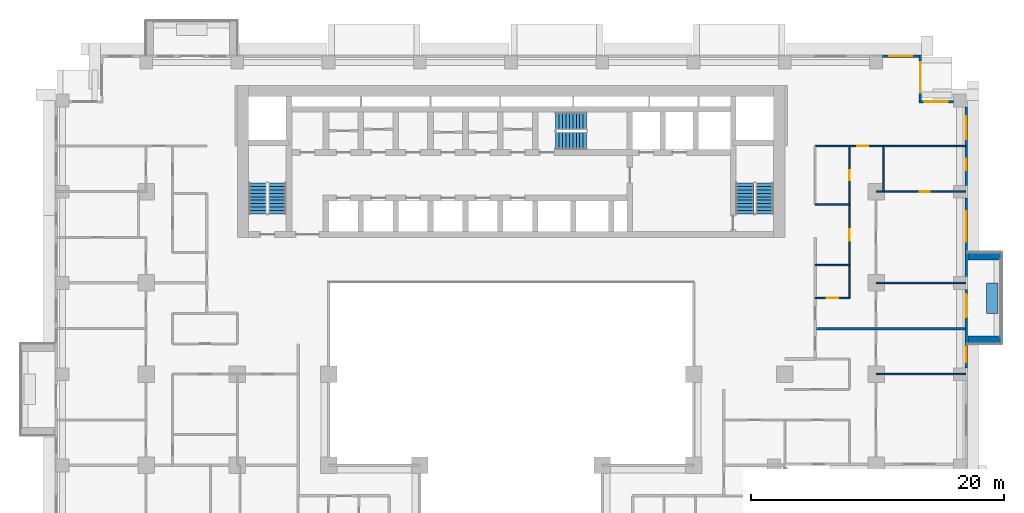
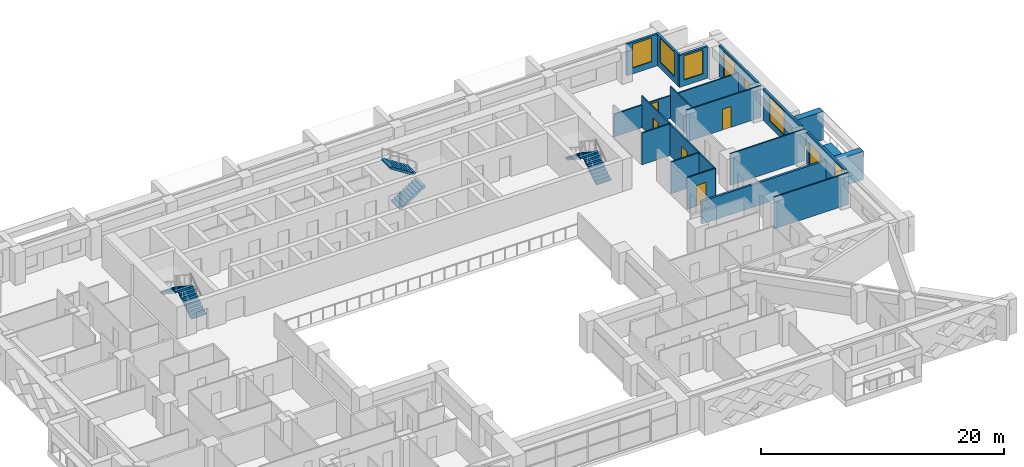
# One storey, part 12 of 16: 19 walls, 7 windows, 6 doors, 6 stair flights, 13 openings, 3 elements without a shape of their own.
"""IFC4 building model written with IfcOpenShell, lengths in metres."""

import ifcopenshell
import ifcopenshell.guid

model = None  # the IFC model being written
_history = None  # IfcOwnerHistory: only IFC2X3 demands one
_inside = {}  # id of a spatial element -> (the spatial element, [elements in it])
_under = {}  # id of a project, library or spatial element -> (it, [spatial elements below it])
_declared = {}  # id of a project -> (the project, [libraries it declares])
_typed = {}  # id of a type object -> (the type object, [elements of that type])
_made_of = {}  # id of a material, layer set ... -> (it, [elements and type objects made of it])


def new_model(schema):
    """Start an empty IFC model of exactly this schema.

    Asked for "IFC4X3", IfcOpenShell would pick the latest addendum, in which some entities
    have other attributes; the version numbers below select the first issue.
    IFC2X3 requires an IfcOwnerHistory on every rooted entity: one is made here for all.
    """
    global model, _history
    if schema == "IFC4X3":
        model = ifcopenshell.file(schema_version=(4, 3, 0, 0))
    else:
        model = ifcopenshell.file(schema=schema)
    _inside.clear()
    _under.clear()
    _declared.clear()
    _typed.clear()
    _made_of.clear()
    _history = None
    if model.schema == "IFC2X3":
        org = make("IfcOrganization", Name="unknown")
        user = make(
            "IfcPersonAndOrganization",
            ThePerson=make("IfcPerson", FamilyName="unknown"),
            TheOrganization=org,
        )
        app = make(
            "IfcApplication",
            ApplicationDeveloper=org,
            Version="unknown",
            ApplicationFullName="unknown",
            ApplicationIdentifier="unknown",
        )
        _history = make(
            "IfcOwnerHistory",
            OwningUser=user,
            OwningApplication=app,
            ChangeAction="ADDED",
            CreationDate=0,
        )
    return model


def make(cls, **values):
    """One entity of the class cls with the attributes given. An attribute that is None is left unset."""
    return model.create_entity(
        cls, **{name: value for name, value in values.items() if value is not None}
    )


def rooted(cls, **values):
    """An entity with a GlobalId (a new one), such as an element, a storey or a relation."""
    return make(cls, GlobalId=ifcopenshell.guid.new(), OwnerHistory=_history, **values)


def si_unit(unit_type, name, prefix=None):
    """IfcSIUnit, for example si_unit("LENGTHUNIT", "METRE", prefix="MILLI")."""
    return make("IfcSIUnit", UnitType=unit_type, Prefix=prefix, Name=name)


def assignment(units):
    """IfcUnitAssignment: the units of a project."""
    return None if units is None else make("IfcUnitAssignment", Units=units)


def point(xyz):
    """IfcCartesianPoint."""
    return None if xyz is None else make("IfcCartesianPoint", Coordinates=xyz)


def direction(xyz):
    """IfcDirection."""
    return None if xyz is None else make("IfcDirection", DirectionRatios=xyz)


def frame(location, z_axis=None, x_axis=None):
    """IfcAxis2Placement3D, a coordinate frame: its origin and axes. An axis left out is left unset."""
    return make(
        "IfcAxis2Placement3D",
        Location=point(location),
        Axis=direction(z_axis),
        RefDirection=direction(x_axis),
    )


def frame_2d(location, x_axis=None):
    """IfcAxis2Placement2D, a coordinate frame in the plane: its origin and x axis."""
    return make(
        "IfcAxis2Placement2D", Location=point(location), RefDirection=direction(x_axis)
    )


def origin():
    """The frame at (0, 0, 0) with its axes left unset."""
    return frame((0.0, 0.0, 0.0))


def place(relative_to, where):
    """IfcLocalPlacement: puts the frame where relative to a parent placement (None: the world)."""
    return make(
        "IfcLocalPlacement", PlacementRelTo=relative_to, RelativePlacement=where
    )


def context(
    kind, dimensions, precision=None, world=None, true_north=None, identifier=None
):
    """IfcGeometricRepresentationContext, for example the 3D "Model" context."""
    return make(
        "IfcGeometricRepresentationContext",
        ContextIdentifier=identifier,
        ContextType=kind,
        CoordinateSpaceDimension=dimensions,
        Precision=precision,
        WorldCoordinateSystem=world,
        TrueNorth=true_north,
    )


def subcontext(parent, identifier, kind, view, scale=None):
    """IfcGeometricRepresentationSubContext, for example "Body" below "Model"."""
    return make(
        "IfcGeometricRepresentationSubContext",
        ContextIdentifier=identifier,
        ContextType=kind,
        ParentContext=parent,
        TargetScale=scale,
        TargetView=view,
    )


def project(units=None, contexts=None):
    """IfcProject with its units and contexts."""
    return rooted(
        "IfcProject",
        Name="project",
        RepresentationContexts=contexts,
        UnitsInContext=assignment(units),
    )


def spatial(cls, under=None, at=None, **own):
    """A site, building, storey or space (cls), placed at a placement, below another one or the project."""
    s = rooted(cls, ObjectPlacement=at, **own)
    if under is not None:
        _under.setdefault(under.id(), (under, []))[1].append(s)
    return s


def polyline(points):
    """IfcPolyline through the points."""
    return make("IfcPolyline", Points=[point(p) for p in points])


def profile(cls, at=None, kind="AREA", **sizes):
    """A parametric profile (cls). Its sizes go by their IFC names, for example OverallWidth=200.0."""
    return make(cls, ProfileType=kind, Position=at, **sizes)


def rectangle(**sizes):
    """IfcRectangleProfileDef."""
    return profile("IfcRectangleProfileDef", **sizes)


def outline(outer, holes=None, kind="AREA"):
    """IfcArbitraryClosedProfileDef: a profile drawn as a closed curve; with holes, ...WithVoids."""
    if holes is None:
        return make("IfcArbitraryClosedProfileDef", ProfileType=kind, OuterCurve=outer)
    return make(
        "IfcArbitraryProfileDefWithVoids",
        ProfileType=kind,
        OuterCurve=outer,
        InnerCurves=holes,
    )


def extrude(swept, where, along, depth):
    """IfcExtrudedAreaSolid: the profile swept, set in the frame where, extruded along a direction by depth."""
    return make(
        "IfcExtrudedAreaSolid",
        SweptArea=swept,
        Position=where,
        ExtrudedDirection=direction(along),
        Depth=depth,
    )


def shape(context_of_items, identifier, shape_type, items):
    """IfcShapeRepresentation: the items that make up one representation, for example the "Body"."""
    return make(
        "IfcShapeRepresentation",
        ContextOfItems=context_of_items,
        RepresentationIdentifier=identifier,
        RepresentationType=shape_type,
        Items=items,
    )


def material(Name=None, Category=None):
    """IfcMaterial."""
    return make("IfcMaterial", Name=Name, Category=Category)


def layer(
    of_material, thickness, ventilated=None, Name=None, Category=None, Priority=None
):
    """IfcMaterialLayer: one layer of a wall or slab, of a material (None: an air gap)."""
    return make(
        "IfcMaterialLayer",
        Material=of_material,
        LayerThickness=thickness,
        IsVentilated=ventilated,
        Name=Name,
        Category=Category,
        Priority=Priority,
    )


def layer_set(layers, Name=None):
    """IfcMaterialLayerSet."""
    return make("IfcMaterialLayerSet", MaterialLayers=layers, LayerSetName=Name)


def made_of(thing, what):
    """Note that an element or type object is made of a material, layer set ...; save() writes the relation."""
    if what is not None:
        _made_of.setdefault(what.id(), (what, []))[1].append(thing)
    return thing


def type_object(cls, material=None, **own):
    """A type object (cls), such as IfcWallType, which elements share."""
    return made_of(rooted(cls, **own), material)


def element(
    cls,
    number,
    at=None,
    inside=None,
    cuts=None,
    type_object=None,
    material=None,
    context=None,
    identifier="Body",
    shape_type=None,
    held_by="IfcProductDefinitionShape",
    body=None,
    shapes=None,
    **own,
):
    """One element of the class cls, such as IfcWall. Its Tag is "e" and its number.

    at: its placement. inside: the storey or other place that contains it. cuts: it is an
    opening in that element (IfcRelVoidsElement). A single representation is given by context,
    identifier, shape_type and body (its items); several are given by shapes. held_by: the class
    of the entity that holds the representations. save() writes the other relations.
    """
    e = rooted(cls, Tag="e%d" % number, ObjectPlacement=at, **own)
    if body is not None:
        shapes = [shape(context, identifier, shape_type, body)]
    if shapes is not None:
        e.Representation = make(held_by, Representations=shapes)
    if inside is not None:
        _inside.setdefault(inside.id(), (inside, []))[1].append(e)
    if cuts is not None:
        rooted(
            "IfcRelVoidsElement", RelatingBuildingElement=cuts, RelatedOpeningElement=e
        )
    if type_object is not None:
        _typed.setdefault(type_object.id(), (type_object, []))[1].append(e)
    return made_of(e, material)


def fill(opening, filler):
    """IfcRelFillsElement: the door or window that sits in an opening."""
    return rooted(
        "IfcRelFillsElement",
        RelatingOpeningElement=opening,
        RelatedBuildingElement=filler,
    )


def aggregate(whole, parts):
    """IfcRelAggregates: a whole, such as a stair, and the parts it consists of."""
    return rooted("IfcRelAggregates", RelatingObject=whole, RelatedObjects=parts)


def save(model, path):
    """Write the relations noted so far, then the file.

    IfcRelAggregates (storeys below a building ...), IfcRelContainedInSpatialStructure (elements
    in a storey), IfcRelDefinesByType, IfcRelAssociatesMaterial and IfcRelDeclares: one each for
    every whole, place, type object, material and project.
    """
    for whole, parts in _under.values():
        aggregate(whole, parts)
    for where, things in _inside.values():
        rooted(
            "IfcRelContainedInSpatialStructure",
            RelatedElements=things,
            RelatingStructure=where,
        )
    for kind, things in _typed.values():
        rooted("IfcRelDefinesByType", RelatedObjects=things, RelatingType=kind)
    for what, things in _made_of.values():
        rooted("IfcRelAssociatesMaterial", RelatedObjects=things, RelatingMaterial=what)
    for by, libraries in _declared.values():
        rooted("IfcRelDeclares", RelatingContext=by, RelatedDefinitions=libraries)
    model.write(path)


model = new_model("IFC4")

# Units and contexts
model_context = context("Model", 3, precision=1e-05, world=origin(), true_north=direction((0.0, 1.0)))
body_context = subcontext(model_context, "Body", "Model", "MODEL_VIEW")
ifc_project = project(units=[si_unit("LENGTHUNIT", "METRE"), si_unit("AREAUNIT", "SQUARE_METRE"), si_unit("VOLUMEUNIT", "CUBIC_METRE"), si_unit("PLANEANGLEUNIT", "RADIAN"), si_unit("MASSUNIT", "GRAM", prefix="KILO")], contexts=[model_context])

# Site, building, storey
site_placement = place(None, origin())
site = spatial("IfcSite", under=ifc_project, at=site_placement, CompositionType="ELEMENT")
building_placement = place(site_placement, origin())
building = spatial("IfcBuilding", under=site, at=building_placement, Name="Saffron Iwan Residences", CompositionType="ELEMENT")
storey_placement = place(building_placement, frame((0.0, 0.0, 83.0)))
storey = spatial("IfcBuildingStorey", under=building, at=storey_placement, Name="L21", CompositionType="ELEMENT", Elevation=83.0)

# Walls
ifc_material_1 = material(Name="Concrete C50/60 white painted", Category="concrete")
ifc_layer_1 = layer(ifc_material_1, 0.60009765625)
ifc_layer_set_1 = layer_set([ifc_layer_1], Name="Concrete C50/60 white painted")
wall_type_1 = type_object("IfcWallType", Name="BALCONY FIN 600", PredefinedType="SOLIDWALL", material=ifc_layer_set_1)
for number, where, z_axis, x_axis, name in (
    (1, (86.449951171875, 57.89990234375, 0.0), (0.0, 0.0, 1.0), (1.0, 0.0, 0.0), "Balcony fin L21 F2-0a"),
    (2, (86.449951171875, 64.5, 0.0), (0.0, 0.0, 1.0), (1.0, 0.0, 0.0), "Balcony fin L21 F2-0b"),
):
    element("IfcWall", number, at=place(storey_placement, frame(where, z_axis=z_axis, x_axis=x_axis)), inside=storey, type_object=wall_type_1, Name=name, PredefinedType="SOLIDWALL", context=body_context, shape_type="SweptSolid", body=[
        extrude(rectangle(XDim=2.650146484375, YDim=0.60009765625, at=frame_2d((1.3251953125, 0.0))), origin(), (0.0, 0.0, 1.0), 2.85009765625),
    ])
ifc_material_2 = material(Name="Concrete C35/45 white painted", Category="concrete")
ifc_layer_2 = layer(ifc_material_2, 0.14990234375)
ifc_layer_set_2 = layer_set([ifc_layer_2], Name="Concrete C35/45 white painted")
wall_type_2 = type_object("IfcWallType", Name="BALCONY PLANTER", PredefinedType="SOLIDWALL", material=ifc_layer_set_2)
wall_1_placement = place(storey_placement, frame((88.375, 60.0, 0.0), z_axis=(0.0, 0.0, 1.0), x_axis=(0.0, 1.0, 0.0)))
element("IfcWall", 3, at=wall_1_placement, inside=storey, type_object=wall_type_2, Name="PLANTER L21 F2-0", PredefinedType="SOLIDWALL", context=body_context, shape_type="SweptSolid", body=[
    extrude(rectangle(XDim=2.39990234375, YDim=0.89990234375, at=frame_2d((1.199951171875, 0.0))), origin(), (0.0, 0.0, 1.0), 0.89990234375),
])

# Wall, openings, door, window
ifc_material_3 = material(Name="Concrete C40/50", Category="concrete")
ifc_layer_3 = layer(ifc_material_3, 0.199951171875)
ifc_layer_set_3 = layer_set([ifc_layer_3], Name="Concrete C40/50")
wall_type_3 = type_object("IfcWallType", Name="EXTERNAL WALL 200", PredefinedType="SOLIDWALL", material=ifc_layer_set_3)
wall_2_placement = place(storey_placement, frame((86.300048828125, 55.699951171875, 0.0), z_axis=(0.0, 0.0, 1.0), x_axis=(0.0, 1.0, 0.0)))
wall_2 = element("IfcWall", 4, at=wall_2_placement, inside=storey, type_object=wall_type_3, Name="External wall L21 F2.1", PredefinedType="SOLIDWALL", context=body_context, shape_type="SweptSolid", body=[
    extrude(rectangle(XDim=6.199951171875, YDim=0.199951171875, at=frame_2d((3.10009765625, 0.0))), origin(), (0.0, 0.0, 1.0), 3.179931640625),
])
opening_1_placement = place(wall_2_placement, frame((4.0, 0.0, 0.0)))
opening_1 = element("IfcOpeningElement", 5, at=opening_1_placement, cuts=wall_2, Name="Opening BD1", PredefinedType="OPENING", context=body_context, shape_type="SweptSolid", body=[
    extrude(rectangle(XDim=1.800048828125, YDim=2.39990234375, at=frame_2d((0.89990234375, 1.199951171875))), frame((0.0, 0.10986328125, 0.0), z_axis=(0.0, -1.0, 0.0), x_axis=(1.0, 0.0, 0.0)), (0.0, 0.0, 1.0), 0.219970703125),
])
opening_2_placement = place(wall_2_placement, frame((0.449951171875, 0.0, 0.60009765625)))
opening_2 = element("IfcOpeningElement", 6, at=opening_2_placement, cuts=wall_2, Name="Opening W3", PredefinedType="OPENING", context=body_context, shape_type="SweptSolid", body=[
    extrude(rectangle(XDim=1.199951171875, YDim=2.39990234375, at=frame_2d((0.60009765625, 1.199951171875))), frame((0.0, 0.10986328125, 0.0), z_axis=(0.0, -1.0, 0.0), x_axis=(1.0, 0.0, 0.0)), (0.0, 0.0, 1.0), 0.219970703125),
])
ifc_material_4 = material(Name="Clear glass, laminated double glazed", Category="glass")
door_type_1 = type_object("IfcDoorType", Name="BALCONY DOOR 1800 x 2400", OperationType="DOUBLE_DOOR_SLIDING", PredefinedType="DOOR", material=ifc_material_4)
door_1_placement = place(opening_1_placement, origin())
door_1 = element("IfcDoor", 7, at=door_1_placement, inside=storey, type_object=door_type_1, Name="Balcony door L21 F2.0", OperationType="DOUBLE_DOOR_SLIDING", OverallHeight=2.39990234375, OverallWidth=1.800048828125, PredefinedType="DOOR", context=body_context, shape_type="SweptSolid", body=[
    extrude(rectangle(XDim=1.800048828125, YDim=2.39990234375, at=frame_2d((0.89990234375, 1.199951171875))), frame((0.0, 0.02490234375, 0.0), z_axis=(0.0, -1.0, 0.0), x_axis=(1.0, 0.0, 0.0)), (0.0, 0.0, 1.0), 0.050048828125),
])
fill(opening_1, door_1)
window_type_1 = type_object("IfcWindowType", Name="WINDOW 1200 x 2400", PartitioningType="SINGLE_PANEL", PredefinedType="WINDOW", material=ifc_material_4)
window_1_placement = place(opening_2_placement, origin())
window_1 = element("IfcWindow", 8, at=window_1_placement, inside=storey, type_object=window_type_1, Name="Window L21 F2.1", OverallHeight=2.39990234375, OverallWidth=1.199951171875, PartitioningType="SINGLE_PANEL", PredefinedType="WINDOW", context=body_context, shape_type="SweptSolid", body=[
    extrude(rectangle(XDim=1.199951171875, YDim=2.39990234375, at=frame_2d((0.60009765625, 1.199951171875))), frame((0.0, 0.030029296875, 0.0), z_axis=(0.0, -1.0, 0.0), x_axis=(1.0, 0.0, 0.0)), (0.0, 0.0, 1.0), 0.06005859375),
])
fill(opening_2, window_1)

# Wall, opening, window
wall_3_placement = place(storey_placement, frame((86.300048828125, 62.89990234375, 0.0), z_axis=(0.0, 0.0, 1.0), x_axis=(0.0, 1.0, 0.0)))
wall_3 = element("IfcWall", 9, at=wall_3_placement, inside=storey, type_object=wall_type_3, Name="External wall L21 F2.2", PredefinedType="SOLIDWALL", context=body_context, shape_type="SweptSolid", body=[
    extrude(rectangle(XDim=6.2001953125, YDim=0.199951171875, at=frame_2d((3.10009765625, 0.0))), origin(), (0.0, 0.0, 1.0), 3.179931640625),
])
opening_3_placement = place(wall_3_placement, frame((2.75, 0.0, 0.60009765625)))
opening_3 = element("IfcOpeningElement", 10, at=opening_3_placement, cuts=wall_3, Name="Opening W1", PredefinedType="OPENING", context=body_context, shape_type="SweptSolid", body=[
    extrude(rectangle(XDim=2.39990234375, YDim=2.39990234375, at=frame_2d((1.199951171875, 1.199951171875))), frame((0.0, 0.10986328125, 0.0), z_axis=(0.0, -1.0, 0.0), x_axis=(1.0, 0.0, 0.0)), (0.0, 0.0, 1.0), 0.219970703125),
])
window_type_2 = type_object("IfcWindowType", Name="WINDOW 2400 x 2400", PartitioningType="DOUBLE_PANEL_VERTICAL", PredefinedType="WINDOW", material=ifc_material_4)
window_2_placement = place(opening_3_placement, origin())
window_2 = element("IfcWindow", 11, at=window_2_placement, inside=storey, type_object=window_type_2, Name="Window L21 F2.0", OverallHeight=2.39990234375, OverallWidth=2.39990234375, PartitioningType="DOUBLE_PANEL_VERTICAL", PredefinedType="WINDOW", context=body_context, shape_type="SweptSolid", body=[
    extrude(rectangle(XDim=2.39990234375, YDim=2.39990234375, at=frame_2d((1.199951171875, 1.199951171875))), frame((0.0, 0.030029296875, 0.0), z_axis=(0.0, -1.0, 0.0), x_axis=(1.0, 0.0, 0.0)), (0.0, 0.0, 1.0), 0.06005859375),
])
fill(opening_3, window_2)

# Wall, openings, windows
wall_4_placement = place(storey_placement, frame((86.300048828125, 70.10009765625, 0.0), z_axis=(0.0, 0.0, 1.0), x_axis=(0.0, 1.0, 0.0)))
wall_4 = element("IfcWall", 12, at=wall_4_placement, inside=storey, type_object=wall_type_3, Name="External wall L21 F2.3", PredefinedType="SOLIDWALL", context=body_context, shape_type="SweptSolid", body=[
    extrude(rectangle(XDim=6.199951171875, YDim=0.199951171875, at=frame_2d((3.10009765625, 0.0))), origin(), (0.0, 0.0, 1.0), 3.179931640625),
])
opening_4_placement = place(wall_4_placement, frame((1.199951171875, 0.0, 1.5)))
opening_4 = element("IfcOpeningElement", 13, at=opening_4_placement, cuts=wall_4, Name="Opening W6", PredefinedType="OPENING", context=body_context, shape_type="SweptSolid", body=[
    extrude(rectangle(XDim=0.89990234375, YDim=0.89990234375, at=frame_2d((0.449951171875, 0.449951171875))), frame((0.0, 0.10986328125, 0.0), z_axis=(0.0, -1.0, 0.0), x_axis=(1.0, 0.0, 0.0)), (0.0, 0.0, 1.0), 0.219970703125),
])
opening_5_placement = place(wall_4_placement, frame((3.64990234375, 0.0, 0.60009765625)))
opening_5 = element("IfcOpeningElement", 14, at=opening_5_placement, cuts=wall_4, Name="Opening W8", PredefinedType="OPENING", context=body_context, shape_type="SweptSolid", body=[
    extrude(rectangle(XDim=1.800048828125, YDim=2.39990234375, at=frame_2d((0.89990234375, 1.199951171875))), frame((0.0, 0.10986328125, 0.0), z_axis=(0.0, -1.0, 0.0), x_axis=(1.0, 0.0, 0.0)), (0.0, 0.0, 1.0), 0.219970703125),
])
window_type_3 = type_object("IfcWindowType", Name="WINDOW 1800 x 2400", PartitioningType="DOUBLE_PANEL_VERTICAL", PredefinedType="WINDOW", material=ifc_material_4)
window_3_placement = place(opening_5_placement, origin())
window_3 = element("IfcWindow", 15, at=window_3_placement, inside=storey, type_object=window_type_3, Name="Window L21 F2.1", OverallHeight=2.39990234375, OverallWidth=1.800048828125, PartitioningType="DOUBLE_PANEL_VERTICAL", PredefinedType="WINDOW", context=body_context, shape_type="SweptSolid", body=[
    extrude(rectangle(XDim=1.800048828125, YDim=2.39990234375, at=frame_2d((0.89990234375, 1.199951171875))), frame((0.0, 0.030029296875, 0.0), z_axis=(0.0, -1.0, 0.0), x_axis=(1.0, 0.0, 0.0)), (0.0, 0.0, 1.0), 0.06005859375),
])
fill(opening_5, window_3)
window_type_4 = type_object("IfcWindowType", Name="WINDOW 900 x 900 BATH", PartitioningType="SINGLE_PANEL", PredefinedType="WINDOW", material=ifc_material_4)
window_4_placement = place(opening_4_placement, origin())
window_4 = element("IfcWindow", 16, at=window_4_placement, inside=storey, type_object=window_type_4, Name="Window L21 F2.0", OverallHeight=0.89990234375, OverallWidth=0.89990234375, PartitioningType="SINGLE_PANEL", PredefinedType="WINDOW", context=body_context, shape_type="SweptSolid", body=[
    extrude(rectangle(XDim=0.89990234375, YDim=0.89990234375, at=frame_2d((0.449951171875, 0.449951171875))), frame((0.0, 0.030029296875, 0.0), z_axis=(0.0, -1.0, 0.0), x_axis=(1.0, 0.0, 0.0)), (0.0, 0.0, 1.0), 0.06005859375),
])
fill(opening_4, window_4)

# Wall, opening, window
wall_5_placement = place(storey_placement, frame((85.300048828125, 76.699951171875, 0.0), z_axis=(0.0, 0.0, 1.0), x_axis=(-1.0, 0.0, 0.0)))
wall_5 = element("IfcWall", 17, at=wall_5_placement, inside=storey, type_object=wall_type_3, Name="External wall L21 F3.0", PredefinedType="SOLIDWALL", context=body_context, shape_type="SweptSolid", body=[
    extrude(rectangle(XDim=2.699951171875, YDim=0.199951171875, at=frame_2d((1.35009765625, 0.0))), origin(), (0.0, 0.0, 1.0), 3.179931640625),
])
opening_6_placement = place(wall_5_placement, frame((0.449951171875, 0.0, 0.60009765625)))
opening_6 = element("IfcOpeningElement", 18, at=opening_6_placement, cuts=wall_5, Name="Opening W8", PredefinedType="OPENING", context=body_context, shape_type="SweptSolid", body=[
    extrude(rectangle(XDim=1.800048828125, YDim=2.39990234375, at=frame_2d((0.89990234375, 1.199951171875))), frame((0.0, 0.10986328125, 0.0), z_axis=(0.0, -1.0, 0.0), x_axis=(1.0, 0.0, 0.0)), (0.0, 0.0, 1.0), 0.219970703125),
])
window_5_placement = place(opening_6_placement, origin())
window_5 = element("IfcWindow", 19, at=window_5_placement, inside=storey, type_object=window_type_3, Name="Window L21 F3.0", OverallHeight=2.39990234375, OverallWidth=1.800048828125, PartitioningType="DOUBLE_PANEL_VERTICAL", PredefinedType="WINDOW", context=body_context, shape_type="SweptSolid", body=[
    extrude(rectangle(XDim=1.800048828125, YDim=2.39990234375, at=frame_2d((0.89990234375, 1.199951171875))), frame((0.0, 0.030029296875, 0.0), z_axis=(0.0, -1.0, 0.0), x_axis=(1.0, 0.0, 0.0)), (0.0, 0.0, 1.0), 0.06005859375),
])
fill(opening_6, window_5)

wall_6_placement = place(storey_placement, frame((82.699951171875, 76.800048828125, 0.0), z_axis=(0.0, 0.0, 1.0), x_axis=(0.0, 1.0, 0.0)))
wall_6 = element("IfcWall", 20, at=wall_6_placement, inside=storey, type_object=wall_type_3, Name="External wall L21 F4.0", PredefinedType="SOLIDWALL", context=body_context, shape_type="SweptSolid", body=[
    extrude(rectangle(XDim=3.599853515625, YDim=0.199951171875, at=frame_2d((1.7998046875, 0.0))), origin(), (0.0, 0.0, 1.0), 3.179931640625),
])
opening_7_placement = place(wall_6_placement, frame((0.60009765625, 0.0, 0.60009765625)))
opening_7 = element("IfcOpeningElement", 21, at=opening_7_placement, cuts=wall_6, Name="Opening W1", PredefinedType="OPENING", context=body_context, shape_type="SweptSolid", body=[
    extrude(rectangle(XDim=2.39990234375, YDim=2.39990234375, at=frame_2d((1.199951171875, 1.199951171875))), frame((0.0, 0.10986328125, 0.0), z_axis=(0.0, -1.0, 0.0), x_axis=(1.0, 0.0, 0.0)), (0.0, 0.0, 1.0), 0.219970703125),
])
window_6_placement = place(opening_7_placement, origin())
window_6 = element("IfcWindow", 22, at=window_6_placement, inside=storey, type_object=window_type_2, Name="Window L21 F4.0", OverallHeight=2.39990234375, OverallWidth=2.39990234375, PartitioningType="DOUBLE_PANEL_VERTICAL", PredefinedType="WINDOW", context=body_context, shape_type="SweptSolid", body=[
    extrude(rectangle(XDim=2.39990234375, YDim=2.39990234375, at=frame_2d((1.199951171875, 1.199951171875))), frame((0.0, 0.030029296875, 0.0), z_axis=(0.0, -1.0, 0.0), x_axis=(1.0, 0.0, 0.0)), (0.0, 0.0, 1.0), 0.06005859375),
])
fill(opening_7, window_6)

wall_7_placement = place(storey_placement, frame((82.60009765625, 80.300048828125, 0.0), z_axis=(0.0, 0.0, 1.0), x_axis=(-1.0, 0.0, 0.0)))
wall_7 = element("IfcWall", 23, at=wall_7_placement, inside=storey, type_object=wall_type_3, Name="External wall L21 F5.0", PredefinedType="SOLIDWALL", context=body_context, shape_type="SweptSolid", body=[
    extrude(rectangle(XDim=2.900146484375, YDim=0.199951171875, at=frame_2d((1.4501953125, 0.0))), origin(), (0.0, 0.0, 1.0), 3.179931640625),
])
opening_8_placement = place(wall_7_placement, frame((0.550048828125, 0.0, 0.60009765625)))
opening_8 = element("IfcOpeningElement", 24, at=opening_8_placement, cuts=wall_7, Name="Opening W8", PredefinedType="OPENING", context=body_context, shape_type="SweptSolid", body=[
    extrude(rectangle(XDim=1.800048828125, YDim=2.39990234375, at=frame_2d((0.89990234375, 1.199951171875))), frame((0.0, 0.10986328125, 0.0), z_axis=(0.0, -1.0, 0.0), x_axis=(1.0, 0.0, 0.0)), (0.0, 0.0, 1.0), 0.219970703125),
])
window_7_placement = place(opening_8_placement, origin())
window_7 = element("IfcWindow", 25, at=window_7_placement, inside=storey, type_object=window_type_3, Name="Window L21 F5.0", OverallHeight=2.39990234375, OverallWidth=1.800048828125, PartitioningType="DOUBLE_PANEL_VERTICAL", PredefinedType="WINDOW", context=body_context, shape_type="SweptSolid", body=[
    extrude(rectangle(XDim=1.800048828125, YDim=2.39990234375, at=frame_2d((0.89990234375, 1.199951171875))), frame((0.0, 0.030029296875, 0.0), z_axis=(0.0, -1.0, 0.0), x_axis=(1.0, 0.0, 0.0)), (0.0, 0.0, 1.0), 0.06005859375),
])
fill(opening_8, window_7)

# Walls
ifc_material_5 = material(Name="Fire-rated gypsum board wall")
ifc_layer_4 = layer(ifc_material_5, 0.199951171875)
ifc_layer_set_4 = layer_set([ifc_layer_4], Name="Fire-rated gypsum board wall")
wall_type_4 = type_object("IfcWallType", Name="Flat demising wall 200", PredefinedType="SOLIDWALL", material=ifc_layer_set_4)
wall_8_placement = place(storey_placement, frame((74.39990234375, 58.800048828125, 0.0), z_axis=(0.0, 0.0, 1.0), x_axis=(1.0, 0.0, 0.0)))
element("IfcWall", 26, at=wall_8_placement, inside=storey, type_object=wall_type_4, Name="W-L21-DEMISE-h58.8-74.4", PredefinedType="SOLIDWALL", context=body_context, shape_type="SweptSolid", body=[
    extrude(rectangle(XDim=11.875, YDim=0.199951171875, at=frame_2d((5.9375, 0.0))), origin(), (0.0, 0.0, 1.0), 2.280029296875),
])
ifc_material_6 = material(Name="Gypsum board partition")
ifc_layer_5 = layer(ifc_material_6, 0.1201171875)
ifc_layer_set_5 = layer_set([ifc_layer_5], Name="Gypsum board partition")
wall_type_5 = type_object("IfcWallType", Name="Flat partition 120", PredefinedType="PARTITIONING", material=ifc_layer_set_5)
wall_9_placement = place(storey_placement, frame((79.199951171875, 55.199951171875, 0.0), z_axis=(0.0, 0.0, 1.0), x_axis=(1.0, 0.0, 0.0)))
element("IfcWall", 27, at=wall_9_placement, inside=storey, type_object=wall_type_5, Name="W-L21-PART-h55.2-79.2", PredefinedType="PARTITIONING", context=body_context, shape_type="SweptSolid", body=[
    extrude(rectangle(XDim=7.074951171875, YDim=0.1201171875, at=frame_2d((3.53759765625, 0.0))), origin(), (0.0, 0.0, 1.0), 3.179931640625),
])

# Wall, opening, door
wall_10_placement = place(storey_placement, frame((74.39990234375, 61.199951171875, 0.0), z_axis=(0.0, 0.0, 1.0), x_axis=(1.0, 0.0, 0.0)))
wall_10 = element("IfcWall", 28, at=wall_10_placement, inside=storey, type_object=wall_type_5, Name="W-L21-PART-h61.2-74.4", PredefinedType="PARTITIONING", context=body_context, shape_type="SweptSolid", body=[
    extrude(rectangle(XDim=2.7001953125, YDim=0.1201171875, at=frame_2d((1.35009765625, 0.0))), origin(), (0.0, 0.0, 1.0), 3.179931640625),
])
opening_9_placement = place(wall_10_placement, frame((0.89990234375, 0.0, 0.0)))
opening_9 = element("IfcOpeningElement", 29, at=opening_9_placement, cuts=wall_10, Name="Opening FD2", PredefinedType="OPENING", context=body_context, shape_type="SweptSolid", body=[
    extrude(rectangle(XDim=0.89990234375, YDim=2.10009765625, at=frame_2d((0.449951171875, 1.050048828125))), frame((0.0, 0.070068359375, 0.0), z_axis=(0.0, -1.0, 0.0), x_axis=(1.0, 0.0, 0.0)), (0.0, 0.0, 1.0), 0.14013671875),
])
ifc_material_7 = material(Name="Timber door", Category="wood")
door_type_2 = type_object("IfcDoorType", Name="Flat door 900", OperationType="NOTDEFINED", PredefinedType="DOOR", material=ifc_material_7)
door_2_placement = place(opening_9_placement, origin())
door_2 = element("IfcDoor", 30, at=door_2_placement, inside=storey, type_object=door_type_2, Name="Door L21-039", OperationType="SINGLE_SWING_LEFT", OverallHeight=2.10009765625, OverallWidth=0.89990234375, PredefinedType="DOOR", context=body_context, shape_type="SweptSolid", body=[
    extrude(rectangle(XDim=0.89990234375, YDim=2.10009765625, at=frame_2d((0.449951171875, 1.050048828125))), frame((0.0, 0.02490234375, 0.0), z_axis=(0.0, -1.0, 0.0), x_axis=(1.0, 0.0, 0.0)), (0.0, 0.0, 1.0), 0.050048828125),
])
fill(opening_9, door_2)

# Walls
wall_11_placement = place(storey_placement, frame((79.199951171875, 62.39990234375, 0.0), z_axis=(0.0, 0.0, 1.0), x_axis=(1.0, 0.0, 0.0)))
element("IfcWall", 31, at=wall_11_placement, inside=storey, type_object=wall_type_5, Name="W-L21-PART-h62.4-79.2", PredefinedType="PARTITIONING", context=body_context, shape_type="SweptSolid", body=[
    extrude(rectangle(XDim=7.074951171875, YDim=0.1201171875, at=frame_2d((3.53759765625, 0.0))), origin(), (0.0, 0.0, 1.0), 3.179931640625),
])
for number, where, z_axis, x_axis, name in (
    (32, (74.39990234375, 63.800048828125, 0.0), (0.0, 0.0, 1.0), (1.0, 0.0, 0.0), "W-L21-PART-h63.8-74.4"),
    (33, (74.39990234375, 68.60009765625, 0.0), (0.0, 0.0, 1.0), (1.0, 0.0, 0.0), "W-L21-PART-h68.6-74.4"),
):
    element("IfcWall", number, at=place(storey_placement, frame(where, z_axis=z_axis, x_axis=x_axis)), inside=storey, type_object=wall_type_5, Name=name, PredefinedType="PARTITIONING", context=body_context, shape_type="SweptSolid", body=[
        extrude(rectangle(XDim=2.7001953125, YDim=0.1201171875, at=frame_2d((1.35009765625, 0.0))), origin(), (0.0, 0.0, 1.0), 3.179931640625),
    ])

# Wall, opening, door
wall_12_placement = place(storey_placement, frame((79.199951171875, 69.60009765625, 0.0), z_axis=(0.0, 0.0, 1.0), x_axis=(1.0, 0.0, 0.0)))
wall_12 = element("IfcWall", 34, at=wall_12_placement, inside=storey, type_object=wall_type_5, Name="W-L21-PART-h69.6-79.2", PredefinedType="PARTITIONING", context=body_context, shape_type="SweptSolid", body=[
    extrude(rectangle(XDim=7.074951171875, YDim=0.1201171875, at=frame_2d((3.53759765625, 0.0))), origin(), (0.0, 0.0, 1.0), 3.179931640625),
])
opening_10_placement = place(wall_12_placement, frame((3.4375, 0.0, 0.0)))
opening_10 = element("IfcOpeningElement", 35, at=opening_10_placement, cuts=wall_12, Name="Opening FD3", PredefinedType="OPENING", context=body_context, shape_type="SweptSolid", body=[
    extrude(rectangle(XDim=0.800048828125, YDim=2.10009765625, at=frame_2d((0.39990234375, 1.050048828125))), frame((0.0, 0.070068359375, 0.0), z_axis=(0.0, -1.0, 0.0), x_axis=(1.0, 0.0, 0.0)), (0.0, 0.0, 1.0), 0.14013671875),
])
door_type_3 = type_object("IfcDoorType", Name="Bathroom door 800", OperationType="NOTDEFINED", PredefinedType="DOOR", material=ifc_material_7)
door_3_placement = place(opening_10_placement, origin())
door_3 = element("IfcDoor", 36, at=door_3_placement, inside=storey, type_object=door_type_3, Name="Door L21-037", OperationType="SINGLE_SWING_RIGHT", OverallHeight=2.10009765625, OverallWidth=0.800048828125, PredefinedType="DOOR", context=body_context, shape_type="SweptSolid", body=[
    extrude(rectangle(XDim=0.800048828125, YDim=2.10009765625, at=frame_2d((0.39990234375, 1.050048828125))), frame((0.0, 0.02490234375, 0.0), z_axis=(0.0, -1.0, 0.0), x_axis=(1.0, 0.0, 0.0)), (0.0, 0.0, 1.0), 0.050048828125),
])
fill(opening_10, door_3)

wall_13_placement = place(storey_placement, frame((74.39990234375, 73.199951171875, 0.0), z_axis=(0.0, 0.0, 1.0), x_axis=(1.0, 0.0, 0.0)))
wall_13 = element("IfcWall", 37, at=wall_13_placement, inside=storey, type_object=wall_type_5, Name="W-L21-PART-h73.2-74.4", PredefinedType="PARTITIONING", context=body_context, shape_type="SweptSolid", body=[
    extrude(rectangle(XDim=11.875, YDim=0.1201171875, at=frame_2d((5.9375, 0.0))), origin(), (0.0, 0.0, 1.0), 2.280029296875),
])
opening_11_placement = place(wall_13_placement, frame((3.300048828125, 0.0, 0.0)))
opening_11 = element("IfcOpeningElement", 38, at=opening_11_placement, cuts=wall_13, Name="Opening FD2", PredefinedType="OPENING", context=body_context, shape_type="SweptSolid", body=[
    extrude(rectangle(XDim=0.89990234375, YDim=2.10009765625, at=frame_2d((0.449951171875, 1.050048828125))), frame((0.0, 0.070068359375, 0.0), z_axis=(0.0, -1.0, 0.0), x_axis=(1.0, 0.0, 0.0)), (0.0, 0.0, 1.0), 0.14013671875),
])
door_4_placement = place(opening_11_placement, origin())
door_4 = element("IfcDoor", 39, at=door_4_placement, inside=storey, type_object=door_type_2, Name="Door L21-038", OperationType="SINGLE_SWING_LEFT", OverallHeight=2.10009765625, OverallWidth=0.89990234375, PredefinedType="DOOR", context=body_context, shape_type="SweptSolid", body=[
    extrude(rectangle(XDim=0.89990234375, YDim=2.10009765625, at=frame_2d((0.449951171875, 1.050048828125))), frame((0.0, 0.02490234375, 0.0), z_axis=(0.0, -1.0, 0.0), x_axis=(1.0, 0.0, 0.0)), (0.0, 0.0, 1.0), 0.050048828125),
])
fill(opening_11, door_4)

# Wall, openings, doors
wall_14_placement = place(storey_placement, frame((77.10009765625, 61.199951171875, 0.0), z_axis=(0.0, 0.0, 1.0), x_axis=(0.0, 1.0, 0.0)))
wall_14 = element("IfcWall", 40, at=wall_14_placement, inside=storey, type_object=wall_type_5, Name="W-L21-PART-v77.1-61.2", PredefinedType="PARTITIONING", context=body_context, shape_type="SweptSolid", body=[
    extrude(rectangle(XDim=12.0, YDim=0.1201171875, at=frame_2d((6.0, 0.0))), origin(), (0.0, 0.0, 1.0), 3.179931640625),
])
opening_12_placement = place(wall_14_placement, frame((4.550048828125, 0.0, 0.0)))
opening_12 = element("IfcOpeningElement", 41, at=opening_12_placement, cuts=wall_14, Name="Opening FD2", PredefinedType="OPENING", context=body_context, shape_type="SweptSolid", body=[
    extrude(rectangle(XDim=0.89990234375, YDim=2.10009765625, at=frame_2d((0.449951171875, 1.050048828125))), frame((0.0, 0.070068359375, 0.0), z_axis=(0.0, -1.0, 0.0), x_axis=(1.0, 0.0, 0.0)), (0.0, 0.0, 1.0), 0.14013671875),
])
opening_13_placement = place(wall_14_placement, frame((9.300048828125, 0.0, 0.0)))
opening_13 = element("IfcOpeningElement", 42, at=opening_13_placement, cuts=wall_14, Name="Opening FD3", PredefinedType="OPENING", context=body_context, shape_type="SweptSolid", body=[
    extrude(rectangle(XDim=0.800048828125, YDim=2.10009765625, at=frame_2d((0.39990234375, 1.050048828125))), frame((0.0, 0.070068359375, 0.0), z_axis=(0.0, -1.0, 0.0), x_axis=(1.0, 0.0, 0.0)), (0.0, 0.0, 1.0), 0.14013671875),
])
door_5_placement = place(opening_13_placement, origin())
door_5 = element("IfcDoor", 43, at=door_5_placement, inside=storey, type_object=door_type_3, Name="Door L21-041", OperationType="SINGLE_SWING_LEFT", OverallHeight=2.10009765625, OverallWidth=0.800048828125, PredefinedType="DOOR", context=body_context, shape_type="SweptSolid", body=[
    extrude(rectangle(XDim=0.800048828125, YDim=2.10009765625, at=frame_2d((0.39990234375, 1.050048828125))), frame((0.0, 0.02490234375, 0.0), z_axis=(0.0, -1.0, 0.0), x_axis=(1.0, 0.0, 0.0)), (0.0, 0.0, 1.0), 0.050048828125),
])
fill(opening_13, door_5)
door_6_placement = place(opening_12_placement, origin())
door_6 = element("IfcDoor", 44, at=door_6_placement, inside=storey, type_object=door_type_2, Name="Door L21-040", OperationType="SINGLE_SWING_RIGHT", OverallHeight=2.10009765625, OverallWidth=0.89990234375, PredefinedType="DOOR", context=body_context, shape_type="SweptSolid", body=[
    extrude(rectangle(XDim=0.89990234375, YDim=2.10009765625, at=frame_2d((0.449951171875, 1.050048828125))), frame((0.0, 0.02490234375, 0.0), z_axis=(0.0, -1.0, 0.0), x_axis=(1.0, 0.0, 0.0)), (0.0, 0.0, 1.0), 0.050048828125),
])
fill(opening_12, door_6)

# Wall
wall_15_placement = place(storey_placement, frame((79.800048828125, 69.60009765625, 0.0), z_axis=(0.0, 0.0, 1.0), x_axis=(0.0, 1.0, 0.0)))
element("IfcWall", 45, at=wall_15_placement, inside=storey, type_object=wall_type_5, Name="W-L21-PART-v79.8-69.6", PredefinedType="PARTITIONING", context=body_context, shape_type="SweptSolid", body=[
    extrude(rectangle(XDim=3.599853515625, YDim=0.1201171875, at=frame_2d((1.7998046875, 0.0))), origin(), (0.0, 0.0, 1.0), 3.179931640625),
])

# Stair, stair flights
ifc_material_8 = material(Name="Concrete C50/60", Category="concrete")
stair_type = type_object("IfcStairType", Name="Stair ST-CORE", PredefinedType="HALF_TURN_STAIR", material=ifc_material_8)
stair_1_placement = place(storey_placement, origin())
stair_1 = element("IfcStair", 46, at=stair_1_placement, inside=storey, type_object=stair_type, Name="L21 Exit Stair ST-W", PredefinedType="HALF_TURN_STAIR")
ifc_layer_6 = layer(ifc_material_8, 0.14990234375)
ifc_layer_set_6 = layer_set([ifc_layer_6], Name="Concrete C50/60")
stair_flight_type = type_object("IfcStairFlightType", Name="Stair flight SFL-RC", PredefinedType="STRAIGHT", material=ifc_layer_set_6)
stair_flight_1_placement = place(storey_placement, frame((31.949951171875, 67.85009765625, 0.0), z_axis=(0.0, 0.0, 1.0), x_axis=(0.0, 1.0, 0.0)))
stair_flight_1 = element("IfcStairFlight", 47, at=stair_flight_1_placement, type_object=stair_flight_type, Name="ST-W flight 1", NumberOfRisers=10, NumberOfTreads=9, PredefinedType="STRAIGHT", RiserHeight=0.175, TreadLength=0.27, context=body_context, shape_type="SweptSolid", body=[
    extrude(outline(polyline([(0.0, 0.0), (0.0, 0.175048828125), (0.27001953125, 0.175048828125), (0.27001953125, 0.35009765625), (0.5400390625, 0.35009765625), (0.5400390625, 0.52490234375), (0.81005859375, 0.52490234375), (0.81005859375, 0.699951171875), (1.080078125, 0.699951171875), (1.080078125, 0.875), (1.35009765625, 0.875), (1.35009765625, 1.050048828125), (1.6201171875, 1.050048828125), (1.6201171875, 1.22509765625), (1.889892578125, 1.22509765625), (1.889892578125, 1.39990234375), (2.159912109375, 1.39990234375), (2.159912109375, 1.574951171875), (2.429931640625, 1.574951171875), (2.429931640625, 1.75), (2.429931640625, 1.396484375), (0.275634765625, 0.0), (0.0, 0.0)])), frame((0.0, 0.699951171875, 0.0), z_axis=(0.0, -1.0, 0.0), x_axis=(1.0, 0.0, 0.0)), (0.0, 0.0, 1.0), 1.39990234375),
])
stair_flight_2_placement = place(storey_placement, frame((30.39990234375, 70.280029296875, 1.75), z_axis=(0.0, 0.0, 1.0), x_axis=(0.0, -1.0, 0.0)))
stair_flight_2 = element("IfcStairFlight", 48, at=stair_flight_2_placement, type_object=stair_flight_type, Name="ST-W flight 2", NumberOfRisers=10, NumberOfTreads=9, PredefinedType="STRAIGHT", RiserHeight=0.175, TreadLength=0.27, context=body_context, shape_type="SweptSolid", body=[
    extrude(outline(polyline([(0.0, 0.0), (0.0, 0.175048828125), (0.27001953125, 0.175048828125), (0.27001953125, 0.35009765625), (0.5400390625, 0.35009765625), (0.5400390625, 0.52490234375), (0.81005859375, 0.52490234375), (0.81005859375, 0.699951171875), (1.080078125, 0.699951171875), (1.080078125, 0.875), (1.35009765625, 0.875), (1.35009765625, 1.050048828125), (1.6201171875, 1.050048828125), (1.6201171875, 1.22509765625), (1.889892578125, 1.22509765625), (1.889892578125, 1.39990234375), (2.159912109375, 1.39990234375), (2.159912109375, 1.574951171875), (2.429931640625, 1.574951171875), (2.429931640625, 1.75), (2.429931640625, 1.396484375), (0.275634765625, 0.0), (0.0, 0.0)])), frame((0.0, 0.699951171875, 0.0), z_axis=(0.0, -1.0, 0.0), x_axis=(1.0, 0.0, 0.0)), (0.0, 0.0, 1.0), 1.39990234375),
])
aggregate(stair_1, [stair_flight_1, stair_flight_2])

stair_2_placement = place(storey_placement, origin())
stair_2 = element("IfcStair", 49, at=stair_2_placement, inside=storey, type_object=stair_type, Name="L21 Exit Stair ST-C", PredefinedType="HALF_TURN_STAIR")
stair_flight_3_placement = place(storey_placement, frame((53.925048828125, 73.625, 0.0), z_axis=(0.0, 0.0, 1.0), x_axis=(1.0, 0.0, 0.0)))
stair_flight_3 = element("IfcStairFlight", 50, at=stair_flight_3_placement, type_object=stair_flight_type, Name="ST-C flight 1", NumberOfRisers=10, NumberOfTreads=9, PredefinedType="STRAIGHT", RiserHeight=0.175, TreadLength=0.27, context=body_context, shape_type="SweptSolid", body=[
    extrude(outline(polyline([(0.0, 0.0), (0.0, 0.175048828125), (0.27001953125, 0.175048828125), (0.27001953125, 0.35009765625), (0.5400390625, 0.35009765625), (0.5400390625, 0.52490234375), (0.81005859375, 0.52490234375), (0.81005859375, 0.699951171875), (1.080078125, 0.699951171875), (1.080078125, 0.875), (1.35009765625, 0.875), (1.35009765625, 1.050048828125), (1.6201171875, 1.050048828125), (1.6201171875, 1.22509765625), (1.889892578125, 1.22509765625), (1.889892578125, 1.39990234375), (2.159912109375, 1.39990234375), (2.159912109375, 1.574951171875), (2.429931640625, 1.574951171875), (2.429931640625, 1.75), (2.429931640625, 1.396484375), (0.275634765625, 0.0), (0.0, 0.0)])), frame((0.0, 0.699951171875, 0.0), z_axis=(0.0, -1.0, 0.0), x_axis=(1.0, 0.0, 0.0)), (0.0, 0.0, 1.0), 1.39990234375),
])
stair_flight_4_placement = place(storey_placement, frame((56.35498046875, 75.175048828125, 1.75), z_axis=(0.0, 0.0, 1.0), x_axis=(-1.0, 0.0, 0.0)))
stair_flight_4 = element("IfcStairFlight", 51, at=stair_flight_4_placement, type_object=stair_flight_type, Name="ST-C flight 2", NumberOfRisers=10, NumberOfTreads=9, PredefinedType="STRAIGHT", RiserHeight=0.175, TreadLength=0.27, context=body_context, shape_type="SweptSolid", body=[
    extrude(outline(polyline([(0.0, 0.0), (0.0, 0.175048828125), (0.27001953125, 0.175048828125), (0.27001953125, 0.35009765625), (0.5400390625, 0.35009765625), (0.5400390625, 0.52490234375), (0.81005859375, 0.52490234375), (0.81005859375, 0.699951171875), (1.080078125, 0.699951171875), (1.080078125, 0.875), (1.35009765625, 0.875), (1.35009765625, 1.050048828125), (1.6201171875, 1.050048828125), (1.6201171875, 1.22509765625), (1.889892578125, 1.22509765625), (1.889892578125, 1.39990234375), (2.159912109375, 1.39990234375), (2.159912109375, 1.574951171875), (2.429931640625, 1.574951171875), (2.429931640625, 1.75), (2.429931640625, 1.396484375), (0.275634765625, 0.0), (0.0, 0.0)])), frame((0.0, 0.699951171875, 0.0), z_axis=(0.0, -1.0, 0.0), x_axis=(1.0, 0.0, 0.0)), (0.0, 0.0, 1.0), 1.39990234375),
])
aggregate(stair_2, [stair_flight_3, stair_flight_4])

stair_3_placement = place(storey_placement, origin())
stair_3 = element("IfcStair", 52, at=stair_3_placement, inside=storey, type_object=stair_type, Name="L21 Exit Stair ST-E", PredefinedType="HALF_TURN_STAIR")
stair_flight_5_placement = place(storey_placement, frame((70.39990234375, 67.85009765625, 0.0), z_axis=(0.0, 0.0, 1.0), x_axis=(0.0, 1.0, 0.0)))
stair_flight_5 = element("IfcStairFlight", 53, at=stair_flight_5_placement, type_object=stair_flight_type, Name="ST-E flight 1", NumberOfRisers=10, NumberOfTreads=9, PredefinedType="STRAIGHT", RiserHeight=0.175, TreadLength=0.27, context=body_context, shape_type="SweptSolid", body=[
    extrude(outline(polyline([(0.0, 0.0), (0.0, 0.175048828125), (0.27001953125, 0.175048828125), (0.27001953125, 0.35009765625), (0.5400390625, 0.35009765625), (0.5400390625, 0.52490234375), (0.81005859375, 0.52490234375), (0.81005859375, 0.699951171875), (1.080078125, 0.699951171875), (1.080078125, 0.875), (1.35009765625, 0.875), (1.35009765625, 1.050048828125), (1.6201171875, 1.050048828125), (1.6201171875, 1.22509765625), (1.889892578125, 1.22509765625), (1.889892578125, 1.39990234375), (2.159912109375, 1.39990234375), (2.159912109375, 1.574951171875), (2.429931640625, 1.574951171875), (2.429931640625, 1.75), (2.429931640625, 1.396484375), (0.275634765625, 0.0), (0.0, 0.0)])), frame((0.0, 0.699951171875, 0.0), z_axis=(0.0, -1.0, 0.0), x_axis=(1.0, 0.0, 0.0)), (0.0, 0.0, 1.0), 1.39990234375),
])
stair_flight_6_placement = place(storey_placement, frame((68.85009765625, 70.280029296875, 1.75), z_axis=(0.0, 0.0, 1.0), x_axis=(0.0, -1.0, 0.0)))
stair_flight_6 = element("IfcStairFlight", 54, at=stair_flight_6_placement, type_object=stair_flight_type, Name="ST-E flight 2", NumberOfRisers=10, NumberOfTreads=9, PredefinedType="STRAIGHT", RiserHeight=0.175, TreadLength=0.27, context=body_context, shape_type="SweptSolid", body=[
    extrude(outline(polyline([(0.0, 0.0), (0.0, 0.175048828125), (0.27001953125, 0.175048828125), (0.27001953125, 0.35009765625), (0.5400390625, 0.35009765625), (0.5400390625, 0.52490234375), (0.81005859375, 0.52490234375), (0.81005859375, 0.699951171875), (1.080078125, 0.699951171875), (1.080078125, 0.875), (1.35009765625, 0.875), (1.35009765625, 1.050048828125), (1.6201171875, 1.050048828125), (1.6201171875, 1.22509765625), (1.889892578125, 1.22509765625), (1.889892578125, 1.39990234375), (2.159912109375, 1.39990234375), (2.159912109375, 1.574951171875), (2.429931640625, 1.574951171875), (2.429931640625, 1.75), (2.429931640625, 1.396484375), (0.275634765625, 0.0), (0.0, 0.0)])), frame((0.0, 0.699951171875, 0.0), z_axis=(0.0, -1.0, 0.0), x_axis=(1.0, 0.0, 0.0)), (0.0, 0.0, 1.0), 1.39990234375),
])
aggregate(stair_3, [stair_flight_5, stair_flight_6])

save(model, "model.ifc")
